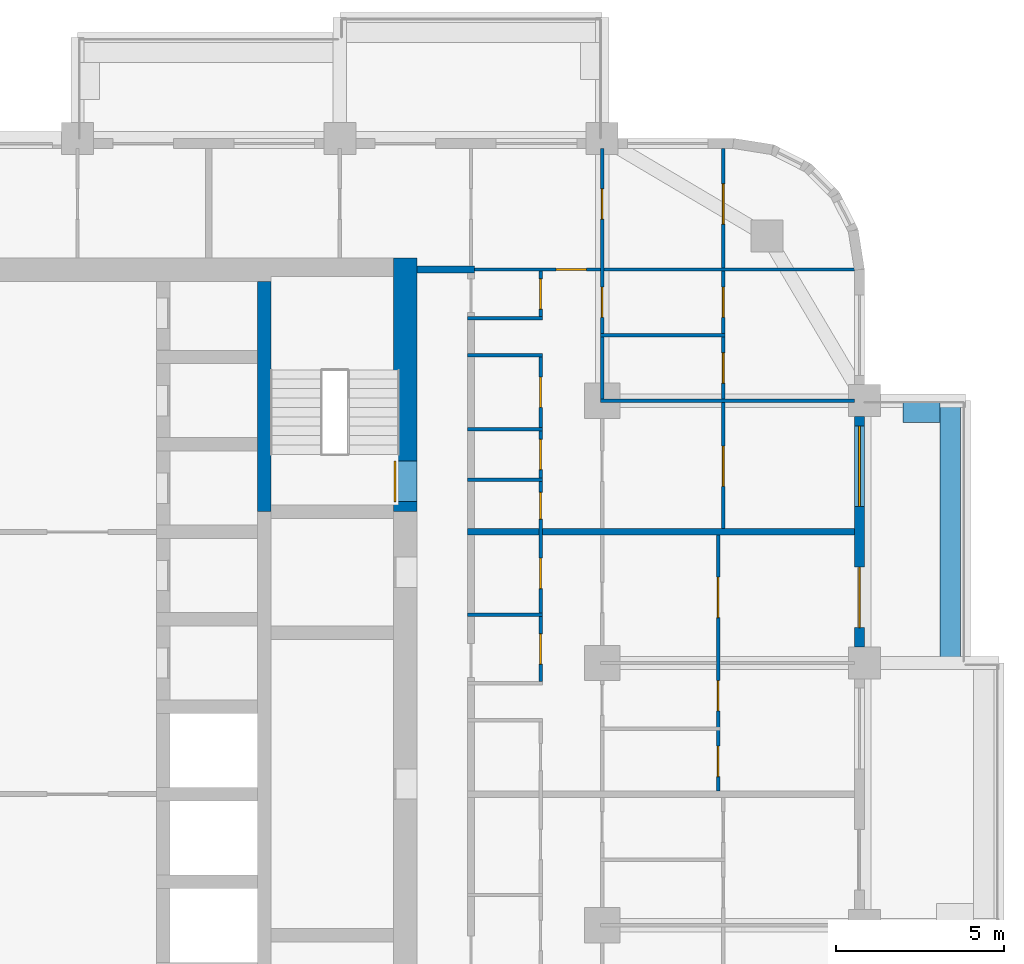
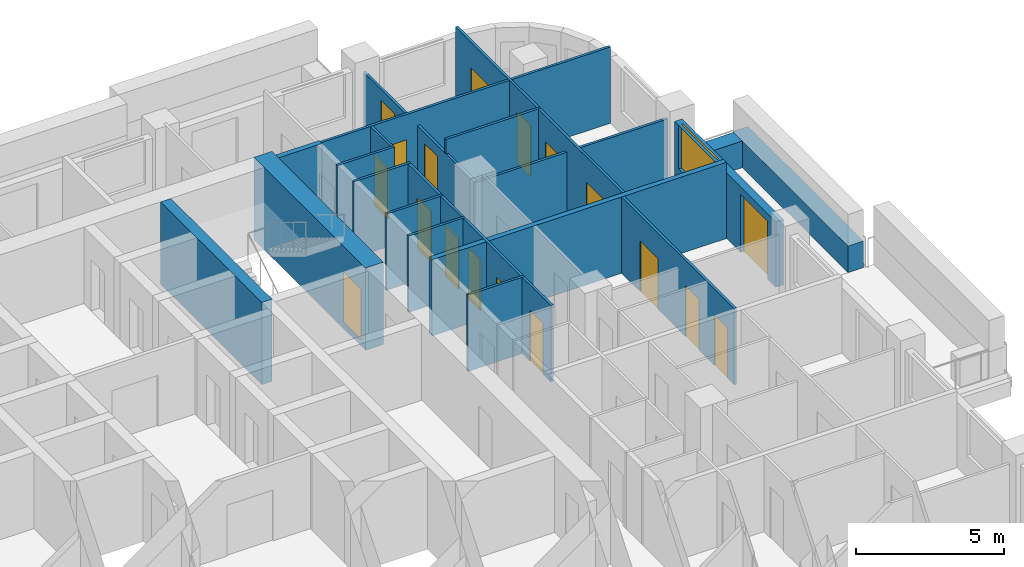
# One storey, part 13 of 18: 20 walls, 18 doors, 1 window, 19 openings.
"""IFC4 building model written with IfcOpenShell, lengths in metres."""

from ifc_helpers import new_model, si_unit, direction, frame, frame_2d, origin, place, context, subcontext, project, spatial, rectangle, extrude, material, layer, layer_set, type_object, element, fill, save


model = new_model("IFC4")

# Units and contexts
model_context = context("Model", 3, precision=1e-05, world=origin(), true_north=direction((0.0, 1.0)))
body_context = subcontext(model_context, "Body", "Model", "MODEL_VIEW")
ifc_project = project(units=[si_unit("LENGTHUNIT", "METRE"), si_unit("AREAUNIT", "SQUARE_METRE"), si_unit("VOLUMEUNIT", "CUBIC_METRE"), si_unit("PLANEANGLEUNIT", "RADIAN"), si_unit("MASSUNIT", "GRAM", prefix="KILO")], contexts=[model_context])

# Site, building, storey
site_placement = place(None, origin())
site = spatial("IfcSite", under=ifc_project, at=site_placement, CompositionType="ELEMENT")
building_placement = place(site_placement, origin())
building = spatial("IfcBuilding", under=site, at=building_placement, Name="Ludao Terraces", CompositionType="ELEMENT")
storey_placement = place(building_placement, frame((0.0, 0.0, 75.0)))
storey = spatial("IfcBuildingStorey", under=building, at=storey_placement, Name="L20", CompositionType="ELEMENT", Elevation=75.0)

# Wall, opening, door
ifc_material_1 = material(Name="Concrete C70", Category="concrete")
ifc_layer_1 = layer(ifc_material_1, 0.699951171875)
ifc_layer_set_1 = layer_set([ifc_layer_1], Name="Core wall 700 C70")
wall_type_1 = type_object("IfcWallType", Name="Core wall 700 C70", PredefinedType="SOLIDWALL", material=ifc_layer_set_1)
wall_1_placement = place(storey_placement, frame((94.75, 77.300048828125, -0.25), z_axis=(0.0, 0.0, 1.0), x_axis=(0.0, 1.0, 0.0)))
wall_1 = element("IfcWall", 1, at=wall_1_placement, inside=storey, type_object=wall_type_1, Name="Core wall L20 outer-E-S2", PredefinedType="SOLIDWALL", context=body_context, shape_type="SweptSolid", body=[
    extrude(rectangle(XDim=7.550048828125, YDim=0.699951171875, at=frame_2d((3.77490234375, 0.0))), origin(), (0.0, 0.0, 1.0), 3.39990234375),
])
opening_1_placement = place(wall_1_placement, frame((0.300048828125, 0.0, 0.25)))
opening_1 = element("IfcOpeningElement", 2, at=opening_1_placement, cuts=wall_1, Name="Opening R06-132", PredefinedType="OPENING", context=body_context, shape_type="SweptSolid", body=[
    extrude(rectangle(XDim=1.199951171875, YDim=2.10009765625, at=frame_2d((0.60009765625, 1.050048828125))), frame((0.0, 0.35986328125, 0.0), z_axis=(0.0, -1.0, 0.0), x_axis=(1.0, 0.0, 0.0)), (0.0, 0.0, 1.0), 0.719970703125),
])
ifc_material_2 = material(Name="Steel Q235", Category="steel")
door_type_1 = type_object("IfcDoorType", Name="INT Stair door 1200", OperationType="DOUBLE_DOOR_SINGLE_SWING", PredefinedType="DOOR", material=ifc_material_2)
door_1_placement = place(opening_1_placement, origin())
door_1 = element("IfcDoor", 3, at=door_1_placement, inside=storey, type_object=door_type_1, Name="DOOR 132", OperationType="DOUBLE_DOOR_SINGLE_SWING", OverallHeight=2.10009765625, OverallWidth=1.199951171875, PredefinedType="DOOR", context=body_context, shape_type="SweptSolid", body=[
    extrude(rectangle(XDim=1.199951171875, YDim=2.10009765625, at=frame_2d((0.60009765625, 1.050048828125))), frame((0.0, 0.3349609375, 0.0), z_axis=(0.0, -1.0, 0.0), x_axis=(1.0, 0.0, 0.0)), (0.0, 0.0, 1.0), 0.050048828125),
])
fill(opening_1, door_1)

# Walls
ifc_material_3 = material(Name="Concrete C40", Category="concrete")
ifc_layer_2 = layer(ifc_material_3, 0.60009765625)
ifc_layer_set_2 = layer_set([ifc_layer_2], Name="ENV Planter trough 600")
wall_type_2 = type_object("IfcWallType", Name="ENV Planter trough 600", PredefinedType="USERDEFINED", material=ifc_layer_set_2)
wall_2_placement = place(storey_placement, frame((110.949951171875, 72.800048828125, 0.0), z_axis=(0.0, 0.0, 1.0), x_axis=(0.0, 1.0, 0.0)))
element("IfcWall", 4, at=wall_2_placement, inside=storey, type_object=wall_type_2, Name="PL-L20-E4", ObjectType="PLANTER", PredefinedType="USERDEFINED", context=body_context, shape_type="SweptSolid", body=[
    extrude(rectangle(XDim=7.800048828125, YDim=0.60009765625, at=frame_2d((3.89990234375, 0.0))), origin(), (0.0, 0.0, 1.0), 1.10009765625),
])
wall_3_placement = place(storey_placement, frame((110.64990234375, 80.25, 0.0), z_axis=(0.0, 0.0, 1.0), x_axis=(-1.0, 0.0, 0.0)))
element("IfcWall", 5, at=wall_3_placement, inside=storey, type_object=wall_type_2, Name="PL-L20-E4-SB", ObjectType="PLANTER", PredefinedType="USERDEFINED", context=body_context, shape_type="SweptSolid", body=[
    extrude(rectangle(XDim=1.099853515625, YDim=0.60009765625, at=frame_2d((0.5498046875, 0.0))), origin(), (0.0, 0.0, 1.0), 1.10009765625),
])

# Wall, openings, door, window
ifc_material_4 = material(Name="Granite cladding", Category="masonry")
ifc_layer_3 = layer(ifc_material_4, 0.0400390625, Category="stone")
ifc_material_5 = material(Name="Mineral wool")
ifc_layer_4 = layer(ifc_material_5, 0.06005859375)
ifc_layer_5 = layer(ifc_material_3, 0.199951171875, Category="concrete")
ifc_layer_set_3 = layer_set([ifc_layer_3, ifc_layer_4, ifc_layer_5], Name="ENV Stone-clad wall 300")
wall_type_3 = type_object("IfcWallType", Name="ENV Stone-clad wall 300", PredefinedType="SOLIDWALL", material=ifc_layer_set_3)
wall_4_placement = place(storey_placement, frame((108.25, 73.27490234375, 0.0), z_axis=(0.0, 0.0, 1.0), x_axis=(0.0, 1.0, 0.0)))
wall_4 = element("IfcWall", 6, at=wall_4_placement, inside=storey, type_object=wall_type_3, Name="EW-L20-E5", PredefinedType="SOLIDWALL", context=body_context, shape_type="SweptSolid", body=[
    extrude(rectangle(XDim=6.85009765625, YDim=0.300048828125, at=frame_2d((3.425048828125, 0.0))), origin(), (0.0, 0.0, 1.0), 2.699951171875),
])
opening_2_placement = place(wall_4_placement, frame((0.574951171875, 0.0, 0.0)))
opening_2 = element("IfcOpeningElement", 7, at=opening_2_placement, cuts=wall_4, Name="Opening BD", PredefinedType="OPENING", context=body_context, shape_type="SweptSolid", body=[
    extrude(rectangle(XDim=1.800048828125, YDim=2.39990234375, at=frame_2d((0.89990234375, 1.199951171875))), frame((0.0, 0.16015625, 0.0), z_axis=(0.0, -1.0, 0.0), x_axis=(1.0, 0.0, 0.0)), (0.0, 0.0, 1.0), 0.320068359375),
])
opening_3_placement = place(wall_4_placement, frame((4.175048828125, 0.0, 0.89990234375)))
opening_3 = element("IfcOpeningElement", 8, at=opening_3_placement, cuts=wall_4, Name="Opening W1", PredefinedType="OPENING", context=body_context, shape_type="SweptSolid", body=[
    extrude(rectangle(XDim=2.39990234375, YDim=1.800048828125, at=frame_2d((1.199951171875, 0.89990234375))), frame((0.0, 0.16015625, 0.0), z_axis=(0.0, -1.0, 0.0), x_axis=(1.0, 0.0, 0.0)), (0.0, 0.0, 1.0), 0.320068359375),
])
ifc_material_6 = material(Name="Aluminium glazed door", Category="aluminium")
ifc_layer_6 = layer(ifc_material_6, 0.06005859375)
ifc_layer_set_4 = layer_set([ifc_layer_6], Name="ENV Balcony door BD 1800x2400")
door_type_2 = type_object("IfcDoorType", Name="ENV Balcony door BD 1800x2400", OperationType="DOUBLE_DOOR_SINGLE_SWING", PredefinedType="DOOR", material=ifc_layer_set_4)
door_2_placement = place(opening_2_placement, origin())
door_2 = element("IfcDoor", 9, at=door_2_placement, inside=storey, type_object=door_type_2, Name="BD-L20-E5-1", OperationType="DOUBLE_DOOR_SINGLE_SWING", OverallHeight=2.39990234375, OverallWidth=1.800048828125, PredefinedType="DOOR", context=body_context, shape_type="SweptSolid", body=[
    extrude(rectangle(XDim=1.800048828125, YDim=2.39990234375, at=frame_2d((0.89990234375, 1.199951171875))), frame((0.0, 0.02490234375, 0.0), z_axis=(0.0, -1.0, 0.0), x_axis=(1.0, 0.0, 0.0)), (0.0, 0.0, 1.0), 0.050048828125),
])
fill(opening_2, door_2)
ifc_material_7 = material(Name="Clear glass in aluminium frame", Category="aluminium")
ifc_layer_7 = layer(ifc_material_7, 0.06005859375)
ifc_layer_set_5 = layer_set([ifc_layer_7], Name="ENV Window W1 2400x1800")
window_type = type_object("IfcWindowType", Name="ENV Window W1 2400x1800", PartitioningType="DOUBLE_PANEL_VERTICAL", PredefinedType="WINDOW", material=ifc_layer_set_5)
window_placement = place(opening_3_placement, origin())
window = element("IfcWindow", 10, at=window_placement, inside=storey, type_object=window_type, Name="W-L20-E5-2", OverallHeight=1.800048828125, OverallWidth=2.39990234375, PartitioningType="DOUBLE_PANEL_VERTICAL", PredefinedType="WINDOW", context=body_context, shape_type="SweptSolid", body=[
    extrude(rectangle(XDim=2.39990234375, YDim=1.800048828125, at=frame_2d((1.199951171875, 0.89990234375))), frame((0.0, 0.030029296875, 0.0), z_axis=(0.0, -1.0, 0.0), x_axis=(1.0, 0.0, 0.0)), (0.0, 0.0, 1.0), 0.06005859375),
])
fill(opening_3, window)

# Walls
ifc_material_8 = material(Name="Autoclaved aerated concrete block B06 A3.5", Category="concrete")
ifc_layer_8 = layer(ifc_material_8, 0.199951171875)
ifc_layer_set_6 = layer_set([ifc_layer_8], Name="INT Entrance wall 200")
wall_type_4 = type_object("IfcWallType", Name="INT Entrance wall 200", PredefinedType="PARTITIONING", material=ifc_layer_set_6)
wall_5_placement = place(storey_placement, frame((95.10009765625, 84.5, 0.0), z_axis=(0.0, 0.0, 1.0), x_axis=(1.0, 0.0, 0.0)))
element("IfcWall", 11, at=wall_5_placement, inside=storey, type_object=wall_type_4, Name="PW-L20-PW079", PredefinedType="PARTITIONING", context=body_context, shape_type="SweptSolid", body=[
    extrude(rectangle(XDim=1.699951171875, YDim=0.199951171875, at=frame_2d((0.85009765625, 0.0))), origin(), (0.0, 0.0, 1.0), 3.14990234375),
])
ifc_material_9 = material(Name="Gypsum plasterboard", Category="gypsum")
ifc_layer_9 = layer(ifc_material_9, 0.012451171875, Category="gypsum")
ifc_layer_10 = layer(ifc_material_5, 0.06005859375, Name="insulation")
ifc_layer_11 = layer(ifc_material_2, 0.014892578125, Name="stud")
ifc_layer_12 = layer(ifc_material_9, 0.012451171875, Category="gypsum")
ifc_layer_set_7 = layer_set([ifc_layer_9, ifc_layer_10, ifc_layer_11, ifc_layer_12], Name="INT Partition 100")
wall_type_5 = type_object("IfcWallType", Name="INT Partition 100", PredefinedType="PARTITIONING", material=ifc_layer_set_7)
for number, where, z_axis, x_axis, name in (
    (12, (96.60009765625, 74.22998046875, 0.0), (0.0, 0.0, 1.0), (1.0, 0.0, 0.0), "PW-L20-PW059"),
    (13, (96.60009765625, 78.25, 0.0), (0.0, 0.0, 1.0), (1.0, 0.0, 0.0), "PW-L20-PW065"),
    (14, (96.60009765625, 79.75, 0.0), (0.0, 0.0, 1.0), (1.0, 0.0, 0.0), "PW-L20-PW067"),
):
    element("IfcWall", number, at=place(storey_placement, frame(where, z_axis=z_axis, x_axis=x_axis)), inside=storey, type_object=wall_type_5, Name=name, PredefinedType="PARTITIONING", context=body_context, shape_type="SweptSolid", body=[
        extrude(rectangle(XDim=2.219970703125, YDim=0.10009765625, at=frame_2d((1.10986328125, 0.0))), origin(), (0.0, 0.0, 1.0), 3.14990234375),
    ])
wall_6_placement = place(storey_placement, frame((100.550048828125, 80.60009765625, 0.0), z_axis=(0.0, 0.0, 1.0), x_axis=(1.0, 0.0, 0.0)))
element("IfcWall", 15, at=wall_6_placement, inside=storey, type_object=wall_type_5, Name="PW-L20-PW070", PredefinedType="PARTITIONING", context=body_context, shape_type="SweptSolid", body=[
    extrude(rectangle(XDim=7.550048828125, YDim=0.10009765625, at=frame_2d((3.77490234375, 0.0))), origin(), (0.0, 0.0, 1.0), 2.550048828125),
])
wall_7_placement = place(storey_placement, frame((96.60009765625, 81.949951171875, 0.0), z_axis=(0.0, 0.0, 1.0), x_axis=(1.0, 0.0, 0.0)))
element("IfcWall", 16, at=wall_7_placement, inside=storey, type_object=wall_type_5, Name="PW-L20-PW071", PredefinedType="PARTITIONING", context=body_context, shape_type="SweptSolid", body=[
    extrude(rectangle(XDim=2.219970703125, YDim=0.10009765625, at=frame_2d((1.10986328125, 0.0))), origin(), (0.0, 0.0, 1.0), 3.14990234375),
])
wall_8_placement = place(storey_placement, frame((100.550048828125, 82.550048828125, 0.0), z_axis=(0.0, 0.0, 1.0), x_axis=(1.0, 0.0, 0.0)))
element("IfcWall", 17, at=wall_8_placement, inside=storey, type_object=wall_type_5, Name="PW-L20-PW074", PredefinedType="PARTITIONING", context=body_context, shape_type="SweptSolid", body=[
    extrude(rectangle(XDim=3.699951171875, YDim=0.10009765625, at=frame_2d((1.85009765625, 0.0))), origin(), (0.0, 0.0, 1.0), 3.14990234375),
])
wall_9_placement = place(storey_placement, frame((96.60009765625, 83.050048828125, 0.0), z_axis=(0.0, 0.0, 1.0), x_axis=(1.0, 0.0, 0.0)))
element("IfcWall", 18, at=wall_9_placement, inside=storey, type_object=wall_type_5, Name="PW-L20-PW075", PredefinedType="PARTITIONING", context=body_context, shape_type="SweptSolid", body=[
    extrude(rectangle(XDim=2.219970703125, YDim=0.10009765625, at=frame_2d((1.10986328125, 0.0))), origin(), (0.0, 0.0, 1.0), 3.14990234375),
])

# Wall, opening, door
wall_10_placement = place(storey_placement, frame((96.60009765625, 84.5, 0.0), z_axis=(0.0, 0.0, 1.0), x_axis=(1.0, 0.0, 0.0)))
wall_10 = element("IfcWall", 19, at=wall_10_placement, inside=storey, type_object=wall_type_5, Name="PW-L20-PW080", PredefinedType="PARTITIONING", context=body_context, shape_type="SweptSolid", body=[
    extrude(rectangle(XDim=11.5, YDim=0.10009765625, at=frame_2d((5.75, 0.0))), origin(), (0.0, 0.0, 1.0), 3.14990234375),
])
opening_4_placement = place(wall_10_placement, frame((2.635009765625, 0.0, 0.0)))
opening_4 = element("IfcOpeningElement", 20, at=opening_4_placement, cuts=wall_10, Name="Opening R06-156", PredefinedType="OPENING", context=body_context, shape_type="SweptSolid", body=[
    extrude(rectangle(XDim=0.89990234375, YDim=2.10009765625, at=frame_2d((0.449951171875, 1.050048828125))), frame((0.0, 0.06005859375, 0.0), z_axis=(0.0, -1.0, 0.0), x_axis=(1.0, 0.0, 0.0)), (0.0, 0.0, 1.0), 0.1201171875),
])
ifc_material_10 = material(Name="Timber door leaf", Category="wood")
door_type_3 = type_object("IfcDoorType", Name="INT Room door 900", OperationType="SINGLE_SWING_LEFT", PredefinedType="DOOR", material=ifc_material_10)
door_3_placement = place(opening_4_placement, origin())
door_3 = element("IfcDoor", 21, at=door_3_placement, inside=storey, type_object=door_type_3, Name="DOOR 156", OperationType="SINGLE_SWING_LEFT", OverallHeight=2.10009765625, OverallWidth=0.89990234375, PredefinedType="DOOR", context=body_context, shape_type="SweptSolid", body=[
    extrude(rectangle(XDim=0.89990234375, YDim=2.10009765625, at=frame_2d((0.449951171875, 1.050048828125))), frame((0.0, 0.02490234375, 0.0), z_axis=(0.0, -1.0, 0.0), x_axis=(1.0, 0.0, 0.0)), (0.0, 0.0, 1.0), 0.050048828125),
])
fill(opening_4, door_3)

# Wall, openings, doors
wall_11_placement = place(storey_placement, frame((98.77001953125, 72.25, 0.0), z_axis=(0.0, 0.0, 1.0), x_axis=(0.0, 1.0, 0.0)))
wall_11 = element("IfcWall", 22, at=wall_11_placement, inside=storey, type_object=wall_type_5, Name="PW-L20-PW121", PredefinedType="PARTITIONING", context=body_context, shape_type="SweptSolid", body=[
    extrude(rectangle(XDim=9.650146484375, YDim=0.10009765625, at=frame_2d((4.8251953125, 0.0))), origin(), (0.0, 0.0, 1.0), 3.14990234375),
])
opening_5_placement = place(wall_11_placement, frame((0.51513671875, 0.0, 0.0)))
opening_5 = element("IfcOpeningElement", 23, at=opening_5_placement, cuts=wall_11, Name="Opening R06-113", PredefinedType="OPENING", context=body_context, shape_type="SweptSolid", body=[
    extrude(rectangle(XDim=0.89990234375, YDim=2.10009765625, at=frame_2d((0.449951171875, 1.050048828125))), frame((0.0, 0.06005859375, 0.0), z_axis=(0.0, -1.0, 0.0), x_axis=(1.0, 0.0, 0.0)), (0.0, 0.0, 1.0), 0.1201171875),
])
opening_6_placement = place(wall_11_placement, frame((2.76513671875, 0.0, 0.0)))
opening_6 = element("IfcOpeningElement", 24, at=opening_6_placement, cuts=wall_11, Name="Opening R06-120", PredefinedType="OPENING", context=body_context, shape_type="SweptSolid", body=[
    extrude(rectangle(XDim=0.89990234375, YDim=2.10009765625, at=frame_2d((0.449951171875, 1.050048828125))), frame((0.0, 0.06005859375, 0.0), z_axis=(0.0, -1.0, 0.0), x_axis=(1.0, 0.0, 0.0)), (0.0, 0.0, 1.0), 0.1201171875),
])
opening_7_placement = place(wall_11_placement, frame((4.8251953125, 0.0, 0.0)))
opening_7 = element("IfcOpeningElement", 25, at=opening_7_placement, cuts=wall_11, Name="Opening R06-127", PredefinedType="OPENING", context=body_context, shape_type="SweptSolid", body=[
    extrude(rectangle(XDim=0.800048828125, YDim=2.10009765625, at=frame_2d((0.39990234375, 1.050048828125))), frame((0.0, 0.06005859375, 0.0), z_axis=(0.0, -1.0, 0.0), x_axis=(1.0, 0.0, 0.0)), (0.0, 0.0, 1.0), 0.1201171875),
])
opening_8_placement = place(wall_11_placement, frame((6.300048828125, 0.0, 0.0)))
opening_8 = element("IfcOpeningElement", 26, at=opening_8_placement, cuts=wall_11, Name="Opening R06-137", PredefinedType="OPENING", context=body_context, shape_type="SweptSolid", body=[
    extrude(rectangle(XDim=0.89990234375, YDim=2.10009765625, at=frame_2d((0.449951171875, 1.050048828125))), frame((0.0, 0.06005859375, 0.0), z_axis=(0.0, -1.0, 0.0), x_axis=(1.0, 0.0, 0.0)), (0.0, 0.0, 1.0), 0.1201171875),
])
opening_9_placement = place(wall_11_placement, frame((8.150146484375, 0.0, 0.0)))
opening_9 = element("IfcOpeningElement", 27, at=opening_9_placement, cuts=wall_11, Name="Opening R06-141", PredefinedType="OPENING", context=body_context, shape_type="SweptSolid", body=[
    extrude(rectangle(XDim=0.89990234375, YDim=2.10009765625, at=frame_2d((0.449951171875, 1.050048828125))), frame((0.0, 0.06005859375, 0.0), z_axis=(0.0, -1.0, 0.0), x_axis=(1.0, 0.0, 0.0)), (0.0, 0.0, 1.0), 0.1201171875),
])
door_type_4 = type_object("IfcDoorType", Name="INT Bathroom door 900", OperationType="SINGLE_SWING_LEFT", PredefinedType="DOOR", material=ifc_material_10)
door_4_placement = place(opening_5_placement, origin())
door_4 = element("IfcDoor", 28, at=door_4_placement, inside=storey, type_object=door_type_4, Name="DOOR 113", OperationType="SINGLE_SWING_LEFT", OverallHeight=2.10009765625, OverallWidth=0.89990234375, PredefinedType="DOOR", context=body_context, shape_type="SweptSolid", body=[
    extrude(rectangle(XDim=0.89990234375, YDim=2.10009765625, at=frame_2d((0.449951171875, 1.050048828125))), frame((0.0, 0.02490234375, 0.0), z_axis=(0.0, -1.0, 0.0), x_axis=(1.0, 0.0, 0.0)), (0.0, 0.0, 1.0), 0.050048828125),
])
fill(opening_5, door_4)
door_5_placement = place(opening_8_placement, origin())
door_5 = element("IfcDoor", 29, at=door_5_placement, inside=storey, type_object=door_type_4, Name="DOOR 137", OperationType="SINGLE_SWING_LEFT", OverallHeight=2.10009765625, OverallWidth=0.89990234375, PredefinedType="DOOR", context=body_context, shape_type="SweptSolid", body=[
    extrude(rectangle(XDim=0.89990234375, YDim=2.10009765625, at=frame_2d((0.449951171875, 1.050048828125))), frame((0.0, 0.02490234375, 0.0), z_axis=(0.0, -1.0, 0.0), x_axis=(1.0, 0.0, 0.0)), (0.0, 0.0, 1.0), 0.050048828125),
])
fill(opening_8, door_5)
door_6_placement = place(opening_6_placement, origin())
door_6 = element("IfcDoor", 30, at=door_6_placement, inside=storey, type_object=door_type_3, Name="DOOR 120", OperationType="SINGLE_SWING_RIGHT", OverallHeight=2.10009765625, OverallWidth=0.89990234375, PredefinedType="DOOR", context=body_context, shape_type="SweptSolid", body=[
    extrude(rectangle(XDim=0.89990234375, YDim=2.10009765625, at=frame_2d((0.449951171875, 1.050048828125))), frame((0.0, 0.02490234375, 0.0), z_axis=(0.0, -1.0, 0.0), x_axis=(1.0, 0.0, 0.0)), (0.0, 0.0, 1.0), 0.050048828125),
])
fill(opening_6, door_6)
door_7_placement = place(opening_9_placement, origin())
door_7 = element("IfcDoor", 31, at=door_7_placement, inside=storey, type_object=door_type_3, Name="DOOR 141", OperationType="SINGLE_SWING_LEFT", OverallHeight=2.10009765625, OverallWidth=0.89990234375, PredefinedType="DOOR", context=body_context, shape_type="SweptSolid", body=[
    extrude(rectangle(XDim=0.89990234375, YDim=2.10009765625, at=frame_2d((0.449951171875, 1.050048828125))), frame((0.0, 0.02490234375, 0.0), z_axis=(0.0, -1.0, 0.0), x_axis=(1.0, 0.0, 0.0)), (0.0, 0.0, 1.0), 0.050048828125),
])
fill(opening_9, door_7)
door_type_5 = type_object("IfcDoorType", Name="INT Store door 800", OperationType="SINGLE_SWING_LEFT", PredefinedType="DOOR", material=ifc_material_10)
door_8_placement = place(opening_7_placement, origin())
door_8 = element("IfcDoor", 32, at=door_8_placement, inside=storey, type_object=door_type_5, Name="DOOR 127", OperationType="SINGLE_SWING_LEFT", OverallHeight=2.10009765625, OverallWidth=0.800048828125, PredefinedType="DOOR", context=body_context, shape_type="SweptSolid", body=[
    extrude(rectangle(XDim=0.800048828125, YDim=2.10009765625, at=frame_2d((0.39990234375, 1.050048828125))), frame((0.0, 0.02490234375, 0.0), z_axis=(0.0, -1.0, 0.0), x_axis=(1.0, 0.0, 0.0)), (0.0, 0.0, 1.0), 0.050048828125),
])
fill(opening_7, door_8)

# Wall, opening, door
wall_12_placement = place(storey_placement, frame((98.77001953125, 83.10009765625, 0.0), z_axis=(0.0, 0.0, 1.0), x_axis=(0.0, 1.0, 0.0)))
wall_12 = element("IfcWall", 33, at=wall_12_placement, inside=storey, type_object=wall_type_5, Name="PW-L20-PW122", PredefinedType="PARTITIONING", context=body_context, shape_type="SweptSolid", body=[
    extrude(rectangle(XDim=1.35009765625, YDim=0.10009765625, at=frame_2d((0.675048828125, 0.0))), origin(), (0.0, 0.0, 1.0), 3.14990234375),
])
opening_10_placement = place(wall_12_placement, frame((0.22509765625, 0.0, 0.0)))
opening_10 = element("IfcOpeningElement", 34, at=opening_10_placement, cuts=wall_12, Name="Opening R06-153", PredefinedType="OPENING", context=body_context, shape_type="SweptSolid", body=[
    extrude(rectangle(XDim=0.89990234375, YDim=2.10009765625, at=frame_2d((0.449951171875, 1.050048828125))), frame((0.0, 0.06005859375, 0.0), z_axis=(0.0, -1.0, 0.0), x_axis=(1.0, 0.0, 0.0)), (0.0, 0.0, 1.0), 0.1201171875),
])
door_9_placement = place(opening_10_placement, origin())
door_9 = element("IfcDoor", 35, at=door_9_placement, inside=storey, type_object=door_type_4, Name="DOOR 153", OperationType="SINGLE_SWING_LEFT", OverallHeight=2.10009765625, OverallWidth=0.89990234375, PredefinedType="DOOR", context=body_context, shape_type="SweptSolid", body=[
    extrude(rectangle(XDim=0.89990234375, YDim=2.10009765625, at=frame_2d((0.449951171875, 1.050048828125))), frame((0.0, 0.02490234375, 0.0), z_axis=(0.0, -1.0, 0.0), x_axis=(1.0, 0.0, 0.0)), (0.0, 0.0, 1.0), 0.050048828125),
])
fill(opening_10, door_9)

# Wall, openings, doors
wall_13_placement = place(storey_placement, frame((100.60009765625, 80.60009765625, 0.0), z_axis=(0.0, 0.0, 1.0), x_axis=(0.0, 1.0, 0.0)))
wall_13 = element("IfcWall", 36, at=wall_13_placement, inside=storey, type_object=wall_type_5, Name="PW-L20-PW123-3", PredefinedType="PARTITIONING", context=body_context, shape_type="SweptSolid", body=[
    extrude(rectangle(XDim=7.5, YDim=0.10009765625, at=frame_2d((3.75, 0.0))), origin(), (0.0, 0.0, 1.0), 2.550048828125),
])
opening_11_placement = place(wall_13_placement, frame((2.47509765625, 0.0, 0.0)))
opening_11 = element("IfcOpeningElement", 37, at=opening_11_placement, cuts=wall_13, Name="Opening R06-150", PredefinedType="OPENING", context=body_context, shape_type="SweptSolid", body=[
    extrude(rectangle(XDim=0.89990234375, YDim=2.10009765625, at=frame_2d((0.449951171875, 1.050048828125))), frame((0.0, 0.06005859375, 0.0), z_axis=(0.0, -1.0, 0.0), x_axis=(1.0, 0.0, 0.0)), (0.0, 0.0, 1.0), 0.1201171875),
])
opening_12_placement = place(wall_13_placement, frame((5.39990234375, 0.0, 0.0)))
opening_12 = element("IfcOpeningElement", 38, at=opening_12_placement, cuts=wall_13, Name="Opening R06-165", PredefinedType="OPENING", context=body_context, shape_type="SweptSolid", body=[
    extrude(rectangle(XDim=0.89990234375, YDim=2.10009765625, at=frame_2d((0.449951171875, 1.050048828125))), frame((0.0, 0.06005859375, 0.0), z_axis=(0.0, -1.0, 0.0), x_axis=(1.0, 0.0, 0.0)), (0.0, 0.0, 1.0), 0.1201171875),
])
door_10_placement = place(opening_11_placement, origin())
door_10 = element("IfcDoor", 39, at=door_10_placement, inside=storey, type_object=door_type_3, Name="DOOR 150", OperationType="SINGLE_SWING_RIGHT", OverallHeight=2.10009765625, OverallWidth=0.89990234375, PredefinedType="DOOR", context=body_context, shape_type="SweptSolid", body=[
    extrude(rectangle(XDim=0.89990234375, YDim=2.10009765625, at=frame_2d((0.449951171875, 1.050048828125))), frame((0.0, 0.02490234375, 0.0), z_axis=(0.0, -1.0, 0.0), x_axis=(1.0, 0.0, 0.0)), (0.0, 0.0, 1.0), 0.050048828125),
])
fill(opening_11, door_10)
door_11_placement = place(opening_12_placement, origin())
door_11 = element("IfcDoor", 40, at=door_11_placement, inside=storey, type_object=door_type_3, Name="DOOR 165", OperationType="SINGLE_SWING_LEFT", OverallHeight=2.10009765625, OverallWidth=0.89990234375, PredefinedType="DOOR", context=body_context, shape_type="SweptSolid", body=[
    extrude(rectangle(XDim=0.89990234375, YDim=2.10009765625, at=frame_2d((0.449951171875, 1.050048828125))), frame((0.0, 0.02490234375, 0.0), z_axis=(0.0, -1.0, 0.0), x_axis=(1.0, 0.0, 0.0)), (0.0, 0.0, 1.0), 0.050048828125),
])
fill(opening_12, door_11)

wall_14_placement = place(storey_placement, frame((104.050048828125, 69.0, 0.0), z_axis=(0.0, 0.0, 1.0), x_axis=(0.0, 1.0, 0.0)))
wall_14 = element("IfcWall", 41, at=wall_14_placement, inside=storey, type_object=wall_type_5, Name="PW-L20-PW124", PredefinedType="PARTITIONING", context=body_context, shape_type="SweptSolid", body=[
    extrude(rectangle(XDim=7.60009765625, YDim=0.10009765625, at=frame_2d((3.800048828125, 0.0))), origin(), (0.0, 0.0, 1.0), 3.14990234375),
])
opening_13_placement = place(wall_14_placement, frame((0.425048828125, 0.0, 0.0)))
opening_13 = element("IfcOpeningElement", 42, at=opening_13_placement, cuts=wall_14, Name="Opening R06-101", PredefinedType="OPENING", context=body_context, shape_type="SweptSolid", body=[
    extrude(rectangle(XDim=0.89990234375, YDim=2.10009765625, at=frame_2d((0.449951171875, 1.050048828125))), frame((0.0, 0.06005859375, 0.0), z_axis=(0.0, -1.0, 0.0), x_axis=(1.0, 0.0, 0.0)), (0.0, 0.0, 1.0), 0.1201171875),
])
opening_14_placement = place(wall_14_placement, frame((2.375, 0.0, 0.0)))
opening_14 = element("IfcOpeningElement", 43, at=opening_14_placement, cuts=wall_14, Name="Opening R06-108", PredefinedType="OPENING", context=body_context, shape_type="SweptSolid", body=[
    extrude(rectangle(XDim=0.89990234375, YDim=2.10009765625, at=frame_2d((0.449951171875, 1.050048828125))), frame((0.0, 0.06005859375, 0.0), z_axis=(0.0, -1.0, 0.0), x_axis=(1.0, 0.0, 0.0)), (0.0, 0.0, 1.0), 0.1201171875),
])
opening_15_placement = place(wall_14_placement, frame((5.150146484375, 0.0, 0.0)))
opening_15 = element("IfcOpeningElement", 44, at=opening_15_placement, cuts=wall_14, Name="Opening R06-117", PredefinedType="OPENING", context=body_context, shape_type="SweptSolid", body=[
    extrude(rectangle(XDim=1.199951171875, YDim=2.10009765625, at=frame_2d((0.60009765625, 1.050048828125))), frame((0.0, 0.06005859375, 0.0), z_axis=(0.0, -1.0, 0.0), x_axis=(1.0, 0.0, 0.0)), (0.0, 0.0, 1.0), 0.1201171875),
])
door_12_placement = place(opening_13_placement, origin())
door_12 = element("IfcDoor", 45, at=door_12_placement, inside=storey, type_object=door_type_4, Name="DOOR 101", OperationType="SINGLE_SWING_LEFT", OverallHeight=2.10009765625, OverallWidth=0.89990234375, PredefinedType="DOOR", context=body_context, shape_type="SweptSolid", body=[
    extrude(rectangle(XDim=0.89990234375, YDim=2.10009765625, at=frame_2d((0.449951171875, 1.050048828125))), frame((0.0, 0.02490234375, 0.0), z_axis=(0.0, -1.0, 0.0), x_axis=(1.0, 0.0, 0.0)), (0.0, 0.0, 1.0), 0.050048828125),
])
fill(opening_13, door_12)
door_type_6 = type_object("IfcDoorType", Name="INT Double door 1200", OperationType="DOUBLE_DOOR_SINGLE_SWING", PredefinedType="DOOR", material=ifc_material_10)
door_13_placement = place(opening_15_placement, origin())
door_13 = element("IfcDoor", 46, at=door_13_placement, inside=storey, type_object=door_type_6, Name="DOOR 117", OperationType="DOUBLE_DOOR_SINGLE_SWING", OverallHeight=2.10009765625, OverallWidth=1.199951171875, PredefinedType="DOOR", context=body_context, shape_type="SweptSolid", body=[
    extrude(rectangle(XDim=1.199951171875, YDim=2.10009765625, at=frame_2d((0.60009765625, 1.050048828125))), frame((0.0, 0.02490234375, 0.0), z_axis=(0.0, -1.0, 0.0), x_axis=(1.0, 0.0, 0.0)), (0.0, 0.0, 1.0), 0.050048828125),
])
fill(opening_15, door_13)
door_14_placement = place(opening_14_placement, origin())
door_14 = element("IfcDoor", 47, at=door_14_placement, inside=storey, type_object=door_type_3, Name="DOOR 108", OperationType="SINGLE_SWING_LEFT", OverallHeight=2.10009765625, OverallWidth=0.89990234375, PredefinedType="DOOR", context=body_context, shape_type="SweptSolid", body=[
    extrude(rectangle(XDim=0.89990234375, YDim=2.10009765625, at=frame_2d((0.449951171875, 1.050048828125))), frame((0.0, 0.02490234375, 0.0), z_axis=(0.0, -1.0, 0.0), x_axis=(1.0, 0.0, 0.0)), (0.0, 0.0, 1.0), 0.050048828125),
])
fill(opening_14, door_14)

wall_15_placement = place(storey_placement, frame((104.199951171875, 76.800048828125, 0.0), z_axis=(0.0, 0.0, 1.0), x_axis=(0.0, 1.0, 0.0)))
wall_15 = element("IfcWall", 48, at=wall_15_placement, inside=storey, type_object=wall_type_5, Name="PW-L20-PW126", PredefinedType="PARTITIONING", context=body_context, shape_type="SweptSolid", body=[
    extrude(rectangle(XDim=11.300048828125, YDim=0.10009765625, at=frame_2d((5.64990234375, 0.0))), origin(), (0.0, 0.0, 1.0), 3.14990234375),
])
opening_16_placement = place(wall_15_placement, frame((1.25, 0.0, 0.0)))
opening_16 = element("IfcOpeningElement", 49, at=opening_16_placement, cuts=wall_15, Name="Opening R06-136", PredefinedType="OPENING", context=body_context, shape_type="SweptSolid", body=[
    extrude(rectangle(XDim=1.199951171875, YDim=2.10009765625, at=frame_2d((0.60009765625, 1.050048828125))), frame((0.0, 0.06005859375, 0.0), z_axis=(0.0, -1.0, 0.0), x_axis=(1.0, 0.0, 0.0)), (0.0, 0.0, 1.0), 0.1201171875),
])
opening_17_placement = place(wall_15_placement, frame((4.324951171875, 0.0, 0.0)))
opening_17 = element("IfcOpeningElement", 50, at=opening_17_placement, cuts=wall_15, Name="Opening R06-144", PredefinedType="OPENING", context=body_context, shape_type="SweptSolid", body=[
    extrude(rectangle(XDim=0.89990234375, YDim=2.10009765625, at=frame_2d((0.449951171875, 1.050048828125))), frame((0.0, 0.06005859375, 0.0), z_axis=(0.0, -1.0, 0.0), x_axis=(1.0, 0.0, 0.0)), (0.0, 0.0, 1.0), 0.1201171875),
])
opening_18_placement = place(wall_15_placement, frame((6.27490234375, 0.0, 0.0)))
opening_18 = element("IfcOpeningElement", 51, at=opening_18_placement, cuts=wall_15, Name="Opening R06-151", PredefinedType="OPENING", context=body_context, shape_type="SweptSolid", body=[
    extrude(rectangle(XDim=0.89990234375, YDim=2.10009765625, at=frame_2d((0.449951171875, 1.050048828125))), frame((0.0, 0.06005859375, 0.0), z_axis=(0.0, -1.0, 0.0), x_axis=(1.0, 0.0, 0.0)), (0.0, 0.0, 1.0), 0.1201171875),
])
opening_19_placement = place(wall_15_placement, frame((9.050048828125, 0.0, 0.0)))
opening_19 = element("IfcOpeningElement", 52, at=opening_19_placement, cuts=wall_15, Name="Opening R06-166", PredefinedType="OPENING", context=body_context, shape_type="SweptSolid", body=[
    extrude(rectangle(XDim=1.199951171875, YDim=2.10009765625, at=frame_2d((0.60009765625, 1.050048828125))), frame((0.0, 0.06005859375, 0.0), z_axis=(0.0, -1.0, 0.0), x_axis=(1.0, 0.0, 0.0)), (0.0, 0.0, 1.0), 0.1201171875),
])
door_15_placement = place(opening_17_placement, origin())
door_15 = element("IfcDoor", 53, at=door_15_placement, inside=storey, type_object=door_type_4, Name="DOOR 144", OperationType="SINGLE_SWING_LEFT", OverallHeight=2.10009765625, OverallWidth=0.89990234375, PredefinedType="DOOR", context=body_context, shape_type="SweptSolid", body=[
    extrude(rectangle(XDim=0.89990234375, YDim=2.10009765625, at=frame_2d((0.449951171875, 1.050048828125))), frame((0.0, 0.02490234375, 0.0), z_axis=(0.0, -1.0, 0.0), x_axis=(1.0, 0.0, 0.0)), (0.0, 0.0, 1.0), 0.050048828125),
])
fill(opening_17, door_15)
door_16_placement = place(opening_16_placement, origin())
door_16 = element("IfcDoor", 54, at=door_16_placement, inside=storey, type_object=door_type_6, Name="DOOR 136", OperationType="DOUBLE_DOOR_SINGLE_SWING", OverallHeight=2.10009765625, OverallWidth=1.199951171875, PredefinedType="DOOR", context=body_context, shape_type="SweptSolid", body=[
    extrude(rectangle(XDim=1.199951171875, YDim=2.10009765625, at=frame_2d((0.60009765625, 1.050048828125))), frame((0.0, 0.02490234375, 0.0), z_axis=(0.0, -1.0, 0.0), x_axis=(1.0, 0.0, 0.0)), (0.0, 0.0, 1.0), 0.050048828125),
])
fill(opening_16, door_16)
door_17_placement = place(opening_19_placement, origin())
door_17 = element("IfcDoor", 55, at=door_17_placement, inside=storey, type_object=door_type_6, Name="DOOR 166", OperationType="DOUBLE_DOOR_SINGLE_SWING", OverallHeight=2.10009765625, OverallWidth=1.199951171875, PredefinedType="DOOR", context=body_context, shape_type="SweptSolid", body=[
    extrude(rectangle(XDim=1.199951171875, YDim=2.10009765625, at=frame_2d((0.60009765625, 1.050048828125))), frame((0.0, 0.02490234375, 0.0), z_axis=(0.0, -1.0, 0.0), x_axis=(1.0, 0.0, 0.0)), (0.0, 0.0, 1.0), 0.050048828125),
])
fill(opening_19, door_17)
door_18_placement = place(opening_18_placement, origin())
door_18 = element("IfcDoor", 56, at=door_18_placement, inside=storey, type_object=door_type_3, Name="DOOR 151", OperationType="SINGLE_SWING_LEFT", OverallHeight=2.10009765625, OverallWidth=0.89990234375, PredefinedType="DOOR", context=body_context, shape_type="SweptSolid", body=[
    extrude(rectangle(XDim=0.89990234375, YDim=2.10009765625, at=frame_2d((0.449951171875, 1.050048828125))), frame((0.0, 0.02490234375, 0.0), z_axis=(0.0, -1.0, 0.0), x_axis=(1.0, 0.0, 0.0)), (0.0, 0.0, 1.0), 0.050048828125),
])
fill(opening_18, door_18)

# Walls
ifc_layer_13 = layer(ifc_material_8, 0.199951171875)
ifc_layer_set_8 = layer_set([ifc_layer_13], Name="INT Party wall 200")
wall_type_6 = type_object("IfcWallType", Name="INT Party wall 200", PredefinedType="PARTITIONING", material=ifc_layer_set_8)
wall_16_placement = place(storey_placement, frame((96.60009765625, 76.699951171875, 0.0), z_axis=(0.0, 0.0, 1.0), x_axis=(1.0, 0.0, 0.0)))
element("IfcWall", 57, at=wall_16_placement, inside=storey, type_object=wall_type_6, Name="PW-L20-PW064", PredefinedType="PARTITIONING", context=body_context, shape_type="SweptSolid", body=[
    extrude(rectangle(XDim=11.5, YDim=0.199951171875, at=frame_2d((5.75, 0.0))), origin(), (0.0, 0.0, 1.0), 3.14990234375),
])
ifc_material_11 = material(Name="Concrete C60", Category="concrete")
ifc_layer_14 = layer(ifc_material_11, 0.39990234375)
ifc_layer_set_9 = layer_set([ifc_layer_14], Name="Shaft wall 400 C60")
wall_type_7 = type_object("IfcWallType", Name="Shaft wall 400 C60", PredefinedType="SOLIDWALL", material=ifc_layer_set_9)
wall_17_placement = place(storey_placement, frame((90.550048828125, 77.300048828125, -0.25), z_axis=(0.0, 0.0, 1.0), x_axis=(0.0, 1.0, 0.0)))
element("IfcWall", 58, at=wall_17_placement, inside=storey, type_object=wall_type_7, Name="Core wall L20 back-E-S2", PredefinedType="SOLIDWALL", context=body_context, shape_type="SweptSolid", body=[
    extrude(rectangle(XDim=6.849853515625, YDim=0.39990234375, at=frame_2d((3.4248046875, 0.0))), origin(), (0.0, 0.0, 1.0), 3.39990234375),
])

save(model, "model.ifc")
